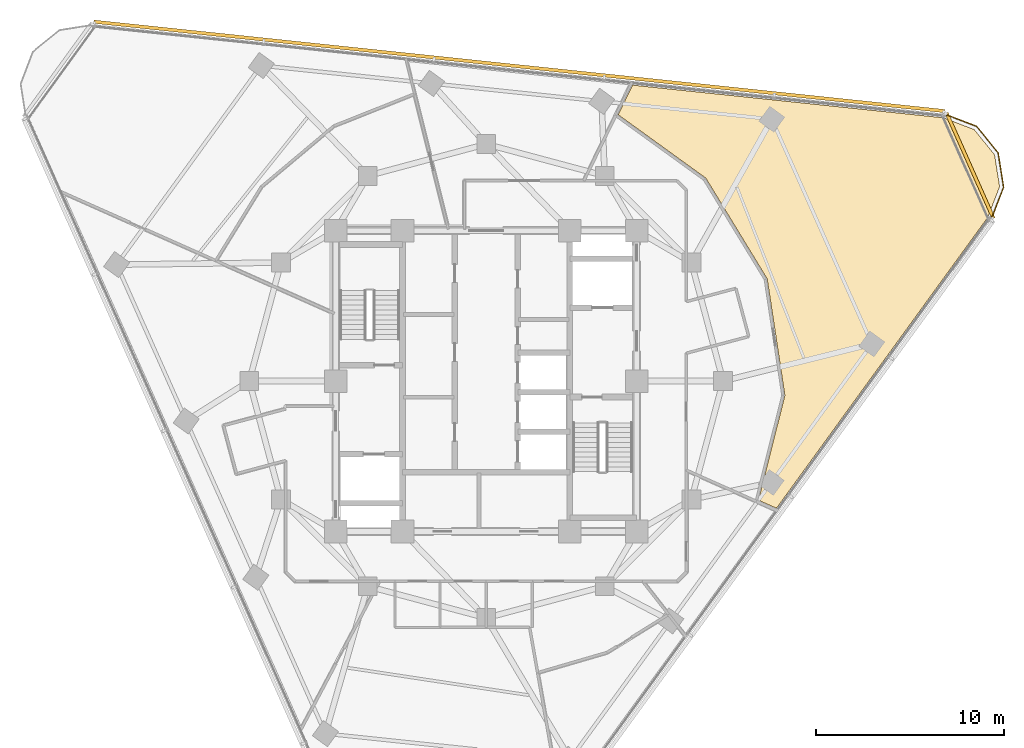
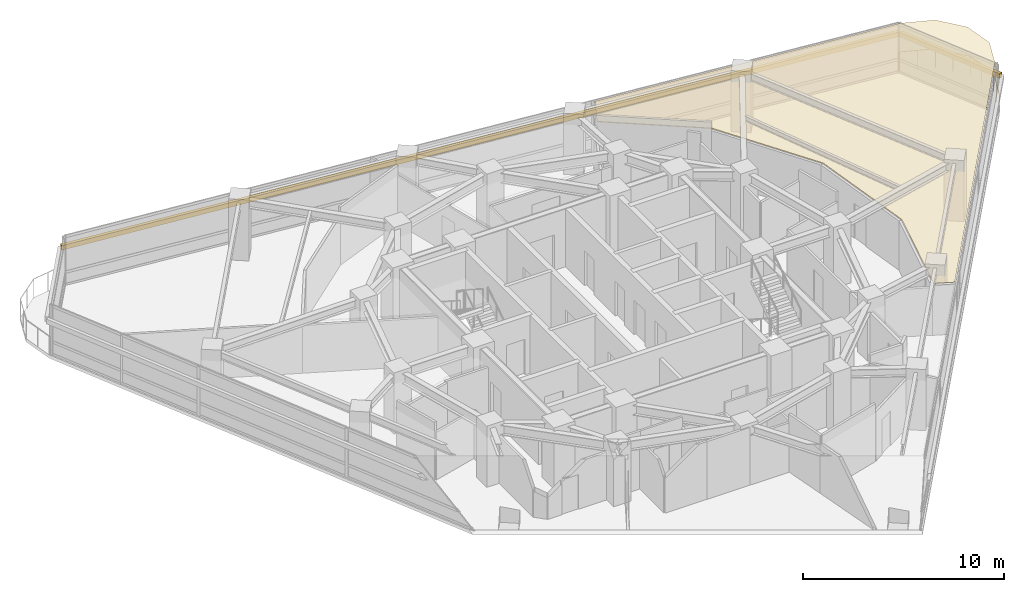
# One storey, part 15 of 15: 2 shading devices, 1 covering, 1 railing.
"""IFC4 building model written with IfcOpenShell, lengths in metres."""

from ifc_helpers import new_model, si_unit, direction, frame, origin, origin_2d, place, context, subcontext, project, spatial, polyline, rectangle, circle, outline, extrude, material, layer, layer_set, type_object, element, save


model = new_model("IFC4")

# Units and contexts
model_context = context("Model", 3, precision=1e-05, world=origin(), true_north=direction((0.0, 1.0)))
body_context = subcontext(model_context, "Body", "Model", "MODEL_VIEW")
ifc_project = project(units=[si_unit("LENGTHUNIT", "METRE"), si_unit("AREAUNIT", "SQUARE_METRE"), si_unit("VOLUMEUNIT", "CUBIC_METRE"), si_unit("PLANEANGLEUNIT", "RADIAN"), si_unit("MASSUNIT", "GRAM", prefix="KILO")], contexts=[model_context])

# Site, building, storey
site_placement = place(None, origin())
site = spatial("IfcSite", under=ifc_project, at=site_placement, CompositionType="ELEMENT")
building_placement = place(site_placement, origin())
building = spatial("IfcBuilding", under=site, at=building_placement, Name="Terralouvre Media Tower", CompositionType="ELEMENT")
storey_placement = place(building_placement, frame((0.0, 0.0, 230.0)))
storey = spatial("IfcBuildingStorey", under=building, at=storey_placement, Name="L59", CompositionType="ELEMENT", Elevation=230.0)

# Covering
ifc_material_1 = material(Name="Perforated aluminium acoustic ceiling baffle", Category="aluminium")
ifc_layer_1 = layer(ifc_material_1, 0.0400390625, Name="Perforated Acoustic Metal Tile Ceiling CL-AC1")
ifc_layer_set_1 = layer_set([ifc_layer_1], Name="Perforated aluminium acoustic ceiling baffle")
covering_type = type_object("IfcCoveringType", Name="Perforated Acoustic Metal Tile Ceiling CL-AC1", PredefinedType="CEILING", material=ifc_layer_set_1)
covering_placement = place(storey_placement, frame((0.0, 0.0, 2.97998046875), z_axis=(0.0, 0.0, 1.0), x_axis=(0.587785252292, 0.809016994375, 0.0)))
element("IfcCovering", 1, at=covering_placement, inside=storey, type_object=covering_type, Name="L59 Source Briefing Interview Room 7 Acoustic Ceiling", PredefinedType="CEILING", context=body_context, shape_type="SweptSolid", body=[
    extrude(outline(polyline([(15.59619140625, -3.08203125), (15.595703125, -3.091796875), (15.59423828125, -3.101806640625), (15.591796875, -3.111328125), (15.588623046875, -3.12060546875), (13.191162109375, -8.87353515625), (13.186767578125, -8.882568359375), (13.181640625, -8.89111328125), (13.17578125, -8.89892578125), (13.1689453125, -8.90625), (8.7333984375, -13.28466796875), (8.72607421875, -13.291259765625), (8.718017578125, -13.297119140625), (8.70947265625, -13.302001953125), (8.700439453125, -13.30615234375), (3.384033203125, -15.440185546875), (3.60205078125, -16.46484375), (22.72119140625, -16.464599609375), (24.4111328125, -16.011474609375), (25.627197265625, -14.7958984375), (26.072021484375, -13.134765625), (25.61962890625, -11.4443359375), (17.308837890625, 2.9501953125), (15.58349609375, 2.646240234375), (15.59619140625, -3.08203125)])), origin(), (0.0, 0.0, 1.0), 0.0400390625),
])

# Railing
ifc_material_2 = material(Name="Stainless steel 316 handrail and balustrade", Category="steel")
ifc_layer_2 = layer(ifc_material_2, 0.06005859375, Name="Roof Edge Safety Guardrail GR-ROOF1")
ifc_layer_set_2 = layer_set([ifc_layer_2], Name="Stainless steel 316 handrail and balustrade")
railing_type = type_object("IfcRailingType", Name="Roof Edge Safety Guardrail GR-ROOF1", PredefinedType="GUARDRAIL", material=ifc_layer_set_2)
railing_placement = place(storey_placement, frame((26.85595703125, 8.593505859375, 0.0)))
element("IfcRailing", 2, at=railing_placement, inside=storey, type_object=railing_type, Name="L59 Wind-Corner Perimeter Safety Guardrail C1", PredefinedType="GUARDRAIL", context=body_context, shape_type="SweptSolid", body=[
    extrude(circle(Radius=0.02099609375, at=origin_2d()), frame((0.0, 0.0, 1.12890625), z_axis=(0.358685184164, 0.933458589688, 0.0), x_axis=(-0.933458589688, 0.358685184164, 0.0)), (0.0, 0.0, 1.0), 1.837158203125),
    extrude(circle(Radius=0.02099609375, at=origin_2d()), frame((0.658935546875, 1.71484375, 1.12890625), z_axis=(-0.156310663238, 0.987707940921, 0.0), x_axis=(-0.987707940921, -0.156310663238, 0.0)), (0.0, 0.0, 1.0), 1.836669921875),
    extrude(circle(Radius=0.02099609375, at=origin_2d()), frame((0.371826171875, 3.529052734375, 1.12890625), z_axis=(-0.629481130122, 0.777015769995, 0.0), x_axis=(-0.777015769995, -0.629481130122, 0.0)), (0.0, 0.0, 1.0), 1.8369140625),
    extrude(circle(Radius=0.02099609375, at=origin_2d()), frame((-0.784423828125, 4.956298828125, 1.12890625), z_axis=(-0.933653545479, 0.358177409974, 0.0), x_axis=(-0.358177409974, -0.933653545479, 0.0)), (0.0, 0.0, 1.0), 1.8369140625),
    extrude(circle(Radius=0.01904296875, at=origin_2d()), origin(), (0.0, 0.0, 1.0), 1.10791015625),
    extrude(circle(Radius=0.01904296875, at=origin_2d()), frame((0.32958984375, 0.857421875, 0.0)), (0.0, 0.0, 1.0), 1.10791015625),
    extrude(circle(Radius=0.01904296875, at=origin_2d()), frame((0.658935546875, 1.71484375, 0.0)), (0.0, 0.0, 1.0), 1.10791015625),
    extrude(circle(Radius=0.01904296875, at=origin_2d()), frame((0.515380859375, 2.6220703125, 0.0)), (0.0, 0.0, 1.0), 1.10791015625),
    extrude(circle(Radius=0.01904296875, at=origin_2d()), frame((0.371826171875, 3.529052734375, 0.0)), (0.0, 0.0, 1.0), 1.10791015625),
    extrude(circle(Radius=0.01904296875, at=origin_2d()), frame((-0.206298828125, 4.24267578125, 0.0)), (0.0, 0.0, 1.0), 1.10791015625),
    extrude(circle(Radius=0.01904296875, at=origin_2d()), frame((-0.784423828125, 4.956298828125, 0.0)), (0.0, 0.0, 1.0), 1.10791015625),
    extrude(circle(Radius=0.01904296875, at=origin_2d()), frame((-1.64208984375, 5.28515625, 0.0)), (0.0, 0.0, 1.0), 1.10791015625),
    extrude(circle(Radius=0.01904296875, at=origin_2d()), frame((-2.49951171875, 5.6142578125, 0.0)), (0.0, 0.0, 1.0), 1.10791015625),
])

# Shading devices
ifc_material_3 = material(Name="Extruded terracotta baguette sunshade louvres", Category="masonry")
shading_device_type = type_object("IfcShadingDeviceType", Name="Terracotta Baguette Sunshade Louvre Screen TB-LV1", PredefinedType="USERDEFINED", material=ifc_material_3)
shading_device_1_placement = place(storey_placement, frame((1.758544921875, 16.732666015625, 2.02392578125), z_axis=(0.0, 0.0, 1.0), x_axis=(-0.994521885028, 0.104528561651, 0.0)))
element("IfcShadingDevice", 3, at=shading_device_1_placement, inside=storey, type_object=shading_device_type, Name="CW-L59-F1 Terracotta Baguette Sunshade Louvre", ObjectType="BAGUETTE", PredefinedType="USERDEFINED", context=body_context, shape_type="SweptSolid", body=[
    extrude(rectangle(XDim=45.5, YDim=0.179931640625, at=origin_2d()), origin(), (0.0, 0.0, 1.0), 0.280029296875),
])
shading_device_2_placement = place(storey_placement, frame((25.7294921875, 11.45556640625, 2.02392578125), z_axis=(0.0, 0.0, 1.0), x_axis=(-0.406737441315, 0.913545102243, 0.0)))
element("IfcShadingDevice", 4, at=shading_device_2_placement, inside=storey, type_object=shading_device_type, Name="CW-L59-C1 Terracotta Baguette Sunshade Louvre", ObjectType="BAGUETTE", PredefinedType="USERDEFINED", context=body_context, shape_type="SweptSolid", body=[
    extrude(rectangle(XDim=6.148681640625, YDim=0.179931640625, at=origin_2d()), origin(), (0.0, 0.0, 1.0), 0.280029296875),
])

save(model, "model.ifc")
